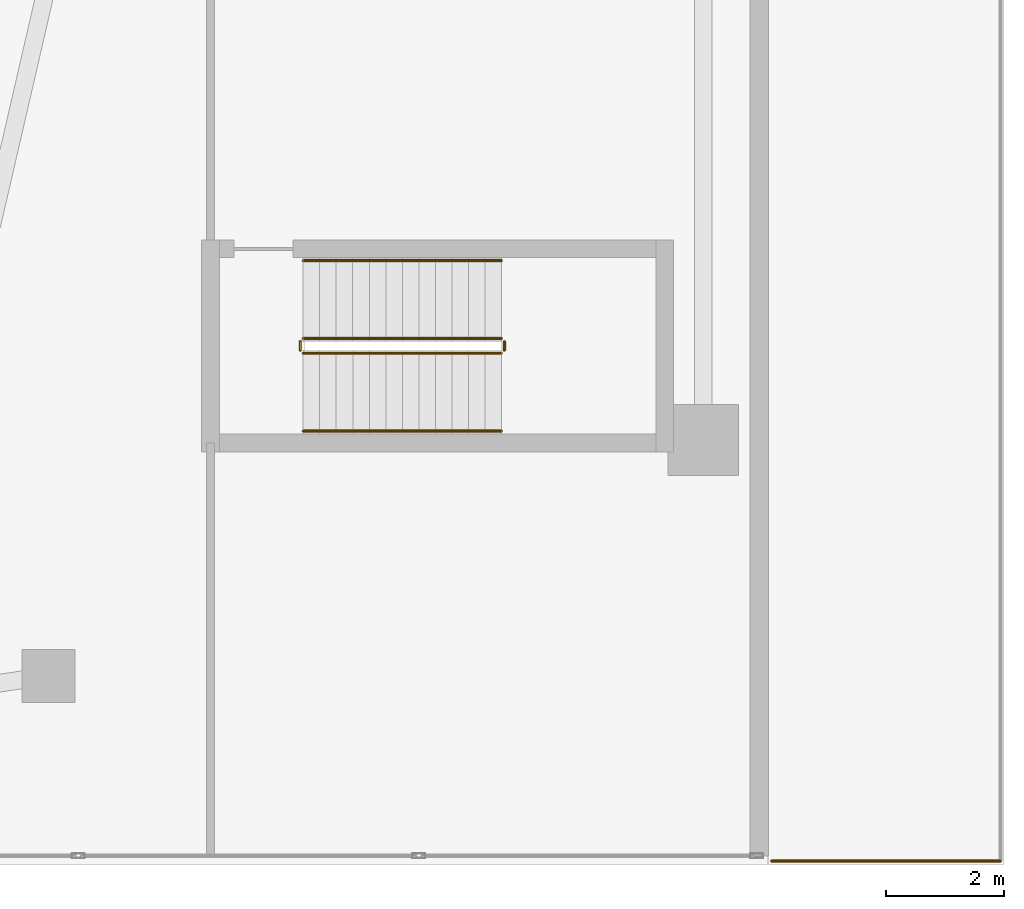
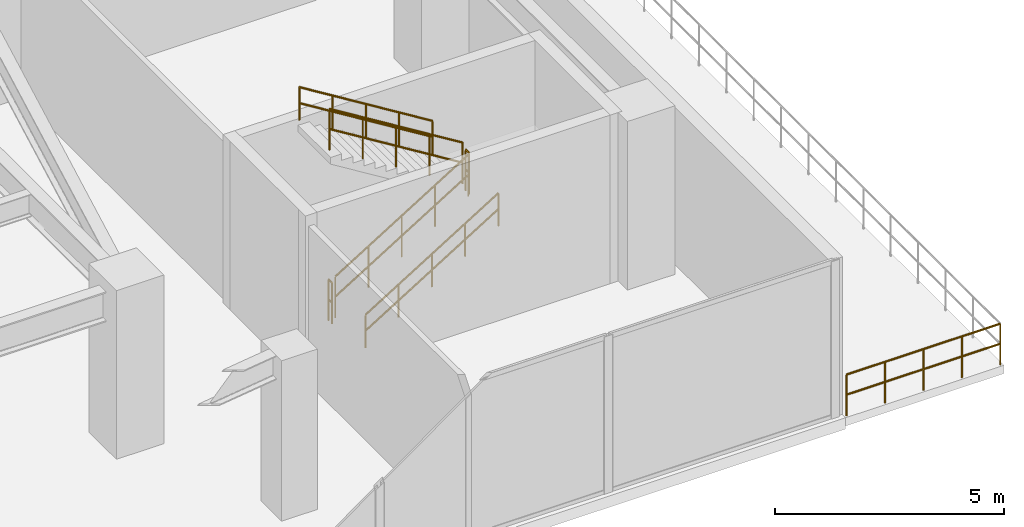
# One storey, part 24 of 27: 7 railings.
"""IFC4 building model written with IfcOpenShell, lengths in metres."""

from ifc_helpers import new_model, si_unit, direction, frame, origin, origin_2d, place, context, subcontext, project, spatial, circle, extrude, material, type_object, element, save


model = new_model("IFC4")

# Units and contexts
model_context = context("Model", 3, precision=1e-05, world=origin(), true_north=direction((0.0, 1.0)))
body_context = subcontext(model_context, "Body", "Model", "MODEL_VIEW")
ifc_project = project(units=[si_unit("LENGTHUNIT", "METRE"), si_unit("AREAUNIT", "SQUARE_METRE"), si_unit("VOLUMEUNIT", "CUBIC_METRE"), si_unit("PLANEANGLEUNIT", "RADIAN"), si_unit("MASSUNIT", "GRAM", prefix="KILO")], contexts=[model_context])

# Site, building, storey
site_placement = place(None, origin())
site = spatial("IfcSite", under=ifc_project, at=site_placement, CompositionType="ELEMENT")
building_placement = place(site_placement, origin())
building = spatial("IfcBuilding", under=site, at=building_placement, Name="Tarnavaz Court Tower", CompositionType="ELEMENT")
storey_placement = place(building_placement, frame((0.0, 0.0, 9.89990234375)))
storey = spatial("IfcBuildingStorey", under=building, at=storey_placement, Name="L02", CompositionType="ELEMENT", Elevation=9.89990234375)

# Railings
ifc_material_1 = material(Name="Anodised Aluminium 6063-T6 and Laminated Safety Glass", Category="aluminium")
railing_type_1 = type_object("IfcRailingType", Name="RL-BAL-1120", PredefinedType="BALUSTRADE", material=ifc_material_1)
railing_1_placement = place(storey_placement, frame((29.06005859375, -29.93994140625, 0.0)))
element("IfcRailing", 1, at=railing_1_placement, inside=storey, type_object=railing_type_1, Name="L02 Terrace 1 S Perimeter Balustrade", PredefinedType="BALUSTRADE", context=body_context, shape_type="SweptSolid", body=[
    extrude(circle(Radius=0.02392578125, at=origin_2d()), frame((0.0, 0.0, 1.09619140625), z_axis=(1.0, 0.0, 0.0), x_axis=(0.0, 1.0, 0.0)), (0.0, 0.0, 1.0), 3.8798828125),
    extrude(circle(Radius=0.02392578125, at=origin_2d()), frame((0.0, 0.0, 0.56005859375), z_axis=(1.0, 0.0, 0.0), x_axis=(0.0, 1.0, 0.0)), (0.0, 0.0, 1.0), 3.8798828125),
    extrude(circle(Radius=0.02099609375, at=origin_2d()), origin(), (0.0, 0.0, 1.0), 1.072021484375),
    extrude(circle(Radius=0.02099609375, at=origin_2d()), frame((0.969970703125, 0.0, 0.0)), (0.0, 0.0, 1.0), 1.072021484375),
    extrude(circle(Radius=0.02099609375, at=origin_2d()), frame((1.93994140625, 0.0, 0.0)), (0.0, 0.0, 1.0), 1.072021484375),
    extrude(circle(Radius=0.02099609375, at=origin_2d()), frame((2.909912109375, 0.0, 0.0)), (0.0, 0.0, 1.0), 1.072021484375),
    extrude(circle(Radius=0.02099609375, at=origin_2d()), frame((3.8798828125, 0.0, 0.0)), (0.0, 0.0, 1.0), 1.072021484375),
])
ifc_material_2 = material(Name="Brushed Stainless Steel", Category="steel")
railing_type_2 = type_object("IfcRailingType", Name="RL-HANDRAIL-900", PredefinedType="HANDRAIL", material=ifc_material_2)
railing_2_placement = place(storey_placement, frame((21.1201171875, -22.64990234375, 0.173095703125)))
element("IfcRailing", 2, at=railing_2_placement, inside=storey, type_object=railing_type_2, Name="L02 ST-P1 stair handrail 1", PredefinedType="HANDRAIL", context=body_context, shape_type="SweptSolid", body=[
    extrude(circle(Radius=0.02392578125, at=origin_2d()), frame((0.0, 0.0, 0.8759765625), z_axis=(0.850606129759, 0.0, 0.525803396734), x_axis=(0.0, 1.0, 0.0)), (0.0, 0.0, 1.0), 3.949951171875),
    extrude(circle(Radius=0.02392578125, at=origin_2d()), frame((0.0, 0.0, 0.449951171875), z_axis=(0.850606129759, 0.0, 0.525803396734), x_axis=(0.0, 1.0, 0.0)), (0.0, 0.0, 1.0), 3.949951171875),
    extrude(circle(Radius=0.02099609375, at=origin_2d()), origin(), (0.0, 0.0, 1.0), 0.851806640625),
    extrude(circle(Radius=0.02099609375, at=origin_2d()), frame((0.83984375, 0.0, 0.519287109375)), (0.0, 0.0, 1.0), 0.851806640625),
    extrude(circle(Radius=0.02099609375, at=origin_2d()), frame((1.679931640625, 0.0, 1.03857421875)), (0.0, 0.0, 1.0), 0.851806640625),
    extrude(circle(Radius=0.02099609375, at=origin_2d()), frame((2.52001953125, 0.0, 1.5576171875)), (0.0, 0.0, 1.0), 0.851806640625),
    extrude(circle(Radius=0.02099609375, at=origin_2d()), frame((3.35986328125, 0.0, 2.076904296875)), (0.0, 0.0, 1.0), 0.851806640625),
])
railing_3_placement = place(storey_placement, frame((24.47998046875, -19.760009765625, 2.423095703125)))
element("IfcRailing", 3, at=railing_3_placement, inside=storey, type_object=railing_type_2, Name="L02 ST-P1 stair handrail 2", PredefinedType="HANDRAIL", context=body_context, shape_type="SweptSolid", body=[
    extrude(circle(Radius=0.02392578125, at=origin_2d()), frame((0.0, 0.0, 0.8759765625), z_axis=(-0.850606129759, 0.0, 0.525803396734), x_axis=(0.0, -1.0, 0.0)), (0.0, 0.0, 1.0), 3.949951171875),
    extrude(circle(Radius=0.02392578125, at=origin_2d()), frame((0.0, 0.0, 0.449951171875), z_axis=(-0.850606129759, 0.0, 0.525803396734), x_axis=(0.0, -1.0, 0.0)), (0.0, 0.0, 1.0), 3.949951171875),
    extrude(circle(Radius=0.02099609375, at=origin_2d()), origin(), (0.0, 0.0, 1.0), 0.851806640625),
    extrude(circle(Radius=0.02099609375, at=origin_2d()), frame((-0.83984375, 0.0, 0.519287109375)), (0.0, 0.0, 1.0), 0.851806640625),
    extrude(circle(Radius=0.02099609375, at=origin_2d()), frame((-1.679931640625, 0.0, 1.03857421875)), (0.0, 0.0, 1.0), 0.851806640625),
    extrude(circle(Radius=0.02099609375, at=origin_2d()), frame((-2.52001953125, 0.0, 1.5576171875)), (0.0, 0.0, 1.0), 0.851806640625),
    extrude(circle(Radius=0.02099609375, at=origin_2d()), frame((-3.35986328125, 0.0, 2.076904296875)), (0.0, 0.0, 1.0), 0.851806640625),
])
ifc_material_3 = material(Name="Galvanized Painted Tubular Steel", Category="steel")
railing_type_3 = type_object("IfcRailingType", Name="RL-STGUARD-1120", PredefinedType="GUARDRAIL", material=ifc_material_3)
railing_4_placement = place(storey_placement, frame((21.1201171875, -21.330078125, 0.173095703125)))
element("IfcRailing", 4, at=railing_4_placement, inside=storey, type_object=railing_type_3, Name="L02 ST-P1 stair guard 1", PredefinedType="GUARDRAIL", context=body_context, shape_type="SweptSolid", body=[
    extrude(circle(Radius=0.02392578125, at=origin_2d()), frame((0.0, 0.0, 1.09619140625), z_axis=(0.850606129759, 0.0, 0.525803396734), x_axis=(0.0, 1.0, 0.0)), (0.0, 0.0, 1.0), 3.949951171875),
    extrude(circle(Radius=0.02392578125, at=origin_2d()), frame((0.0, 0.0, 0.56005859375), z_axis=(0.850606129759, 0.0, 0.525803396734), x_axis=(0.0, 1.0, 0.0)), (0.0, 0.0, 1.0), 3.949951171875),
    extrude(circle(Radius=0.02099609375, at=origin_2d()), origin(), (0.0, 0.0, 1.0), 1.072021484375),
    extrude(circle(Radius=0.02099609375, at=origin_2d()), frame((0.83984375, 0.0, 0.519287109375)), (0.0, 0.0, 1.0), 1.072021484375),
    extrude(circle(Radius=0.02099609375, at=origin_2d()), frame((1.679931640625, 0.0, 1.03857421875)), (0.0, 0.0, 1.0), 1.072021484375),
    extrude(circle(Radius=0.02099609375, at=origin_2d()), frame((2.52001953125, 0.0, 1.5576171875)), (0.0, 0.0, 1.0), 1.072021484375),
    extrude(circle(Radius=0.02099609375, at=origin_2d()), frame((3.35986328125, 0.0, 2.076904296875)), (0.0, 0.0, 1.0), 1.072021484375),
])
railing_5_placement = place(storey_placement, frame((24.530029296875, -21.280029296875, 2.25)))
element("IfcRailing", 5, at=railing_5_placement, inside=storey, type_object=railing_type_3, Name="L02 ST-P1 stair guard 2", PredefinedType="GUARDRAIL", context=body_context, shape_type="SweptSolid", body=[
    extrude(circle(Radius=0.02392578125, at=origin_2d()), frame((0.0, 0.0, 1.09619140625), z_axis=(0.0, 1.0, 0.0), x_axis=(-1.0, 0.0, 0.0)), (0.0, 0.0, 1.0), 0.150146484375),
    extrude(circle(Radius=0.02392578125, at=origin_2d()), frame((0.0, 0.0, 0.56005859375), z_axis=(0.0, 1.0, 0.0), x_axis=(-1.0, 0.0, 0.0)), (0.0, 0.0, 1.0), 0.150146484375),
    extrude(circle(Radius=0.02099609375, at=origin_2d()), origin(), (0.0, 0.0, 1.0), 1.072021484375),
    extrude(circle(Radius=0.02099609375, at=origin_2d()), frame((0.0, 0.150146484375, 0.0)), (0.0, 0.0, 1.0), 1.072021484375),
])
railing_6_placement = place(storey_placement, frame((24.47998046875, -21.080078125, 2.423095703125)))
element("IfcRailing", 6, at=railing_6_placement, inside=storey, type_object=railing_type_3, Name="L02 ST-P1 stair guard 3", PredefinedType="GUARDRAIL", context=body_context, shape_type="SweptSolid", body=[
    extrude(circle(Radius=0.02392578125, at=origin_2d()), frame((0.0, 0.0, 1.09619140625), z_axis=(-0.850606129759, 0.0, 0.525803396734), x_axis=(0.0, -1.0, 0.0)), (0.0, 0.0, 1.0), 3.949951171875),
    extrude(circle(Radius=0.02392578125, at=origin_2d()), frame((0.0, 0.0, 0.56005859375), z_axis=(-0.850606129759, 0.0, 0.525803396734), x_axis=(0.0, -1.0, 0.0)), (0.0, 0.0, 1.0), 3.949951171875),
    extrude(circle(Radius=0.02099609375, at=origin_2d()), origin(), (0.0, 0.0, 1.0), 1.072021484375),
    extrude(circle(Radius=0.02099609375, at=origin_2d()), frame((-0.83984375, 0.0, 0.519287109375)), (0.0, 0.0, 1.0), 1.072021484375),
    extrude(circle(Radius=0.02099609375, at=origin_2d()), frame((-1.679931640625, 0.0, 1.03857421875)), (0.0, 0.0, 1.0), 1.072021484375),
    extrude(circle(Radius=0.02099609375, at=origin_2d()), frame((-2.52001953125, 0.0, 1.5576171875)), (0.0, 0.0, 1.0), 1.072021484375),
    extrude(circle(Radius=0.02099609375, at=origin_2d()), frame((-3.35986328125, 0.0, 2.076904296875)), (0.0, 0.0, 1.0), 1.072021484375),
])
railing_7_placement = place(storey_placement, frame((21.070068359375, -21.280029296875, 0.0)))
element("IfcRailing", 7, at=railing_7_placement, inside=storey, type_object=railing_type_3, Name="L02 ST-P1 stair guard 4", PredefinedType="GUARDRAIL", context=body_context, shape_type="SweptSolid", body=[
    extrude(circle(Radius=0.02392578125, at=origin_2d()), frame((0.0, 0.0, 1.09619140625), z_axis=(0.0, 1.0, 0.0), x_axis=(-1.0, 0.0, 0.0)), (0.0, 0.0, 1.0), 0.150146484375),
    extrude(circle(Radius=0.02392578125, at=origin_2d()), frame((0.0, 0.0, 0.56005859375), z_axis=(0.0, 1.0, 0.0), x_axis=(-1.0, 0.0, 0.0)), (0.0, 0.0, 1.0), 0.150146484375),
    extrude(circle(Radius=0.02099609375, at=origin_2d()), origin(), (0.0, 0.0, 1.0), 1.072021484375),
    extrude(circle(Radius=0.02099609375, at=origin_2d()), frame((0.0, 0.150146484375, 0.0)), (0.0, 0.0, 1.0), 1.072021484375),
])

save(model, "model.ifc")
